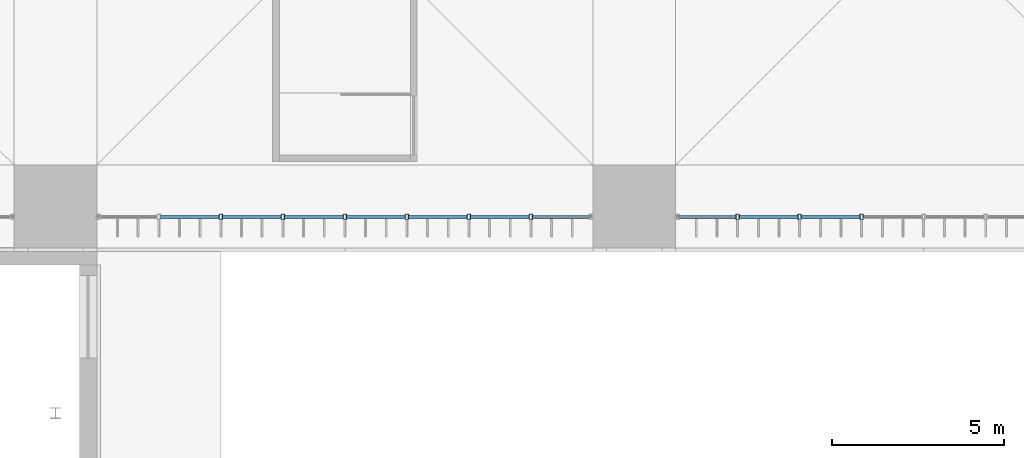
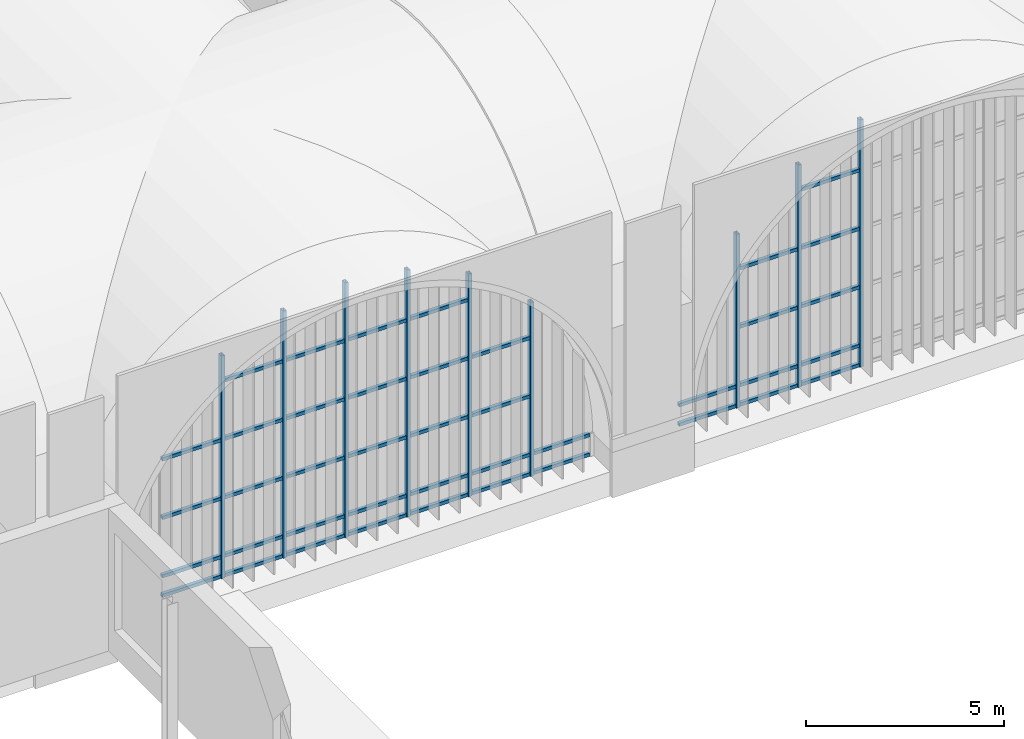
# One storey, part 35 of 169: 50 members, 2 elements without a shape of their own.
"""IFC4 building model written with IfcOpenShell, lengths in metres."""

from ifc_helpers import new_model, si_unit, direction, frame, origin, origin_2d, place, context, subcontext, project, spatial, hollow_rectangle, extrude, material, layer, layer_set, material_profile, profile_set, type_object, element, aggregate, save


model = new_model("IFC4")

# Units and contexts
model_context = context("Model", 3, precision=1e-05, world=origin(), true_north=direction((0.0, 1.0)))
body_context = subcontext(model_context, "Body", "Model", "MODEL_VIEW")
ifc_project = project(units=[si_unit("LENGTHUNIT", "METRE"), si_unit("AREAUNIT", "SQUARE_METRE"), si_unit("VOLUMEUNIT", "CUBIC_METRE"), si_unit("PLANEANGLEUNIT", "RADIAN"), si_unit("MASSUNIT", "GRAM", prefix="KILO")], contexts=[model_context])

# Site, building, storey
site_placement = place(None, origin())
site = spatial("IfcSite", under=ifc_project, at=site_placement, CompositionType="ELEMENT")
building_placement = place(site_placement, origin())
building = spatial("IfcBuilding", under=site, at=building_placement, Name="Verrick Yard Athletic Hall", CompositionType="ELEMENT")
storey_placement = place(building_placement, frame((0.0, 0.0, 4.39990234375)))
storey = spatial("IfcBuildingStorey", under=building, at=storey_placement, Name="L01", CompositionType="ELEMENT", Elevation=4.39990234375)

# Curtain wall, members
ifc_material_1 = material(Name="Aluminium and glass curtain wall", Category="aluminium")
ifc_layer = layer(ifc_material_1, 0.14990234375)
ifc_layer_set = layer_set([ifc_layer], Name="Arcade glazing arch")
curtain_wall_type = type_object("IfcCurtainWallType", Name="Arcade glazing arch", PredefinedType="NOTDEFINED", material=ifc_layer_set)
curtain_wall_1_placement = place(storey_placement, origin())
curtain_wall_1 = element("IfcCurtainWall", 1, at=curtain_wall_1_placement, inside=storey, type_object=curtain_wall_type, Name="Arcade glazing S5", PredefinedType="NOTDEFINED")
ifc_material_2 = material(Name="Structural steel HSS Class C 350W (CSA G40.20/G40.21)", Category="steel")
ifc_material_profile_1 = material_profile(ifc_material_2, hollow_rectangle(XDim=0.1015625, YDim=0.15234375, WallThickness=0.008056640625, at=origin_2d()), Name="HSS152x102x7.9")
ifc_profile_set_1 = profile_set([ifc_material_profile_1], Name="Structural steel HSS Class C 350W (CSA G40.20/G40.21)")
member_type_1 = type_object("IfcMemberType", Name="Curtain wall mullion HSS152x102x7.9", PredefinedType="MULLION", material=ifc_profile_set_1)
member_1_placement = place(storey_placement, frame((112.0, 18.89990234375, 0.0), z_axis=(0.0, 0.0, 1.0), x_axis=(1.0, 0.0, 0.0)))
member_1 = element("IfcMember", 2, at=member_1_placement, type_object=member_type_1, Name="Arcade glazing S5 mullion 3", PredefinedType="MULLION", context=body_context, shape_type="SweptSolid", body=[
    extrude(hollow_rectangle(XDim=0.1015625, YDim=0.15234375, WallThickness=0.008056640625, at=origin_2d()), origin(), (0.0, 0.0, 1.0), 6.8544921875),
])
member_2_placement = place(storey_placement, frame((113.800048828125, 18.89990234375, 0.0), z_axis=(0.0, 0.0, 1.0), x_axis=(1.0, 0.0, 0.0)))
member_2 = element("IfcMember", 3, at=member_2_placement, type_object=member_type_1, Name="Arcade glazing S5 mullion 4", PredefinedType="MULLION", context=body_context, shape_type="SweptSolid", body=[
    extrude(hollow_rectangle(XDim=0.1015625, YDim=0.15234375, WallThickness=0.008056640625, at=origin_2d()), origin(), (0.0, 0.0, 1.0), 7.607666015625),
])
member_3_placement = place(storey_placement, frame((115.60009765625, 18.89990234375, 0.0), z_axis=(0.0, 0.0, 1.0), x_axis=(1.0, 0.0, 0.0)))
member_3 = element("IfcMember", 4, at=member_3_placement, type_object=member_type_1, Name="Arcade glazing S5 mullion 5", PredefinedType="MULLION", context=body_context, shape_type="SweptSolid", body=[
    extrude(hollow_rectangle(XDim=0.1015625, YDim=0.15234375, WallThickness=0.008056640625, at=origin_2d()), origin(), (0.0, 0.0, 1.0), 7.8486328125),
])
member_4_placement = place(storey_placement, frame((117.39990234375, 18.89990234375, 0.0), z_axis=(0.0, 0.0, 1.0), x_axis=(1.0, 0.0, 0.0)))
member_4 = element("IfcMember", 5, at=member_4_placement, type_object=member_type_1, Name="Arcade glazing S5 mullion 6", PredefinedType="MULLION", context=body_context, shape_type="SweptSolid", body=[
    extrude(hollow_rectangle(XDim=0.1015625, YDim=0.15234375, WallThickness=0.008056640625, at=origin_2d()), origin(), (0.0, 0.0, 1.0), 7.607666015625),
])
member_5_placement = place(storey_placement, frame((119.199951171875, 18.89990234375, 0.0), z_axis=(0.0, 0.0, 1.0), x_axis=(1.0, 0.0, 0.0)))
member_5 = element("IfcMember", 6, at=member_5_placement, type_object=member_type_1, Name="Arcade glazing S5 mullion 7", PredefinedType="MULLION", context=body_context, shape_type="SweptSolid", body=[
    extrude(hollow_rectangle(XDim=0.1015625, YDim=0.15234375, WallThickness=0.008056640625, at=origin_2d()), origin(), (0.0, 0.0, 1.0), 6.8544921875),
])
member_6_placement = place(storey_placement, frame((121.0, 18.89990234375, 0.0), z_axis=(0.0, 0.0, 1.0), x_axis=(1.0, 0.0, 0.0)))
member_6 = element("IfcMember", 7, at=member_6_placement, type_object=member_type_1, Name="Arcade glazing S5 mullion 8", PredefinedType="MULLION", context=body_context, shape_type="SweptSolid", body=[
    extrude(hollow_rectangle(XDim=0.1015625, YDim=0.15234375, WallThickness=0.008056640625, at=origin_2d()), origin(), (0.0, 0.0, 1.0), 5.351806640625),
])

curtain_wall_2_placement = place(storey_placement, origin())
curtain_wall_2 = element("IfcCurtainWall", 8, at=curtain_wall_2_placement, inside=storey, type_object=curtain_wall_type, Name="Arcade glazing S6", PredefinedType="NOTDEFINED")
member_7_placement = place(storey_placement, frame((127.0, 18.89990234375, 0.0), z_axis=(0.0, 0.0, 1.0), x_axis=(1.0, 0.0, 0.0)))
member_7 = element("IfcMember", 9, at=member_7_placement, type_object=member_type_1, Name="Arcade glazing S6 mullion 2", PredefinedType="MULLION", context=body_context, shape_type="SweptSolid", body=[
    extrude(hollow_rectangle(XDim=0.1015625, YDim=0.15234375, WallThickness=0.008056640625, at=origin_2d()), origin(), (0.0, 0.0, 1.0), 5.351806640625),
])
member_8_placement = place(storey_placement, frame((128.800048828125, 18.89990234375, 0.0), z_axis=(0.0, 0.0, 1.0), x_axis=(1.0, 0.0, 0.0)))
member_8 = element("IfcMember", 10, at=member_8_placement, type_object=member_type_1, Name="Arcade glazing S6 mullion 3", PredefinedType="MULLION", context=body_context, shape_type="SweptSolid", body=[
    extrude(hollow_rectangle(XDim=0.1015625, YDim=0.15234375, WallThickness=0.008056640625, at=origin_2d()), origin(), (0.0, 0.0, 1.0), 6.8544921875),
])
member_9_placement = place(storey_placement, frame((130.60009765625, 18.89990234375, 0.0), z_axis=(0.0, 0.0, 1.0), x_axis=(1.0, 0.0, 0.0)))
member_9 = element("IfcMember", 11, at=member_9_placement, type_object=member_type_1, Name="Arcade glazing S6 mullion 4", PredefinedType="MULLION", context=body_context, shape_type="SweptSolid", body=[
    extrude(hollow_rectangle(XDim=0.1015625, YDim=0.15234375, WallThickness=0.008056640625, at=origin_2d()), origin(), (0.0, 0.0, 1.0), 7.607666015625),
])

# Member
ifc_material_profile_2 = material_profile(ifc_material_2, hollow_rectangle(XDim=0.1015625, YDim=0.1015625, WallThickness=0.00634765625, at=origin_2d()), Name="HSS102x102x6.4")
ifc_profile_set_2 = profile_set([ifc_material_profile_2], Name="Structural steel HSS Class C 350W (CSA G40.20/G40.21)")
member_type_2 = type_object("IfcMemberType", Name="Curtain wall transom HSS102x102x6.4", PredefinedType="USERDEFINED", material=ifc_profile_set_2)
member_10_placement = place(storey_placement, frame((110.250732421875, 18.89990234375, 0.05078125), z_axis=(1.0, 0.0, 0.0), x_axis=(0.0, 1.0, 0.0)))
member_10 = element("IfcMember", 12, at=member_10_placement, type_object=member_type_2, Name="Arcade glazing S5 transom 3", ObjectType="TRANSOM", PredefinedType="USERDEFINED", context=body_context, shape_type="SweptSolid", body=[
    extrude(hollow_rectangle(XDim=0.1015625, YDim=0.1015625, WallThickness=0.00634765625, at=origin_2d()), origin(), (0.0, 0.0, 1.0), 1.698486328125),
])

member_11_placement = place(storey_placement, frame((110.250732421875, 18.89990234375, 0.650146484375), z_axis=(1.0, 0.0, 0.0), x_axis=(0.0, 1.0, 0.0)))
member_11 = element("IfcMember", 13, at=member_11_placement, type_object=member_type_2, Name="Arcade glazing S5 transom 4", ObjectType="TRANSOM", PredefinedType="USERDEFINED", context=body_context, shape_type="SweptSolid", body=[
    extrude(hollow_rectangle(XDim=0.1015625, YDim=0.1015625, WallThickness=0.00634765625, at=origin_2d()), origin(), (0.0, 0.0, 1.0), 1.698486328125),
])

member_12_placement = place(storey_placement, frame((110.250732421875, 18.89990234375, 2.4501953125), z_axis=(1.0, 0.0, 0.0), x_axis=(0.0, 1.0, 0.0)))
member_12 = element("IfcMember", 14, at=member_12_placement, type_object=member_type_2, Name="Arcade glazing S5 transom 5", ObjectType="TRANSOM", PredefinedType="USERDEFINED", context=body_context, shape_type="SweptSolid", body=[
    extrude(hollow_rectangle(XDim=0.1015625, YDim=0.1015625, WallThickness=0.00634765625, at=origin_2d()), origin(), (0.0, 0.0, 1.0), 1.698486328125),
])

member_13_placement = place(storey_placement, frame((110.250732421875, 18.89990234375, 4.25), z_axis=(1.0, 0.0, 0.0), x_axis=(0.0, 1.0, 0.0)))
member_13 = element("IfcMember", 15, at=member_13_placement, type_object=member_type_2, Name="Arcade glazing S5 transom 6", ObjectType="TRANSOM", PredefinedType="USERDEFINED", context=body_context, shape_type="SweptSolid", body=[
    extrude(hollow_rectangle(XDim=0.1015625, YDim=0.1015625, WallThickness=0.00634765625, at=origin_2d()), origin(), (0.0, 0.0, 1.0), 1.698486328125),
])

member_14_placement = place(storey_placement, frame((112.05078125, 18.89990234375, 0.05078125), z_axis=(1.0, 0.0, 0.0), x_axis=(0.0, 1.0, 0.0)))
member_14 = element("IfcMember", 16, at=member_14_placement, type_object=member_type_2, Name="Arcade glazing S5 transom 7", ObjectType="TRANSOM", PredefinedType="USERDEFINED", context=body_context, shape_type="SweptSolid", body=[
    extrude(hollow_rectangle(XDim=0.1015625, YDim=0.1015625, WallThickness=0.00634765625, at=origin_2d()), origin(), (0.0, 0.0, 1.0), 1.698486328125),
])

member_15_placement = place(storey_placement, frame((112.05078125, 18.89990234375, 0.650146484375), z_axis=(1.0, 0.0, 0.0), x_axis=(0.0, 1.0, 0.0)))
member_15 = element("IfcMember", 17, at=member_15_placement, type_object=member_type_2, Name="Arcade glazing S5 transom 8", ObjectType="TRANSOM", PredefinedType="USERDEFINED", context=body_context, shape_type="SweptSolid", body=[
    extrude(hollow_rectangle(XDim=0.1015625, YDim=0.1015625, WallThickness=0.00634765625, at=origin_2d()), origin(), (0.0, 0.0, 1.0), 1.698486328125),
])

member_16_placement = place(storey_placement, frame((112.05078125, 18.89990234375, 2.4501953125), z_axis=(1.0, 0.0, 0.0), x_axis=(0.0, 1.0, 0.0)))
member_16 = element("IfcMember", 18, at=member_16_placement, type_object=member_type_2, Name="Arcade glazing S5 transom 9", ObjectType="TRANSOM", PredefinedType="USERDEFINED", context=body_context, shape_type="SweptSolid", body=[
    extrude(hollow_rectangle(XDim=0.1015625, YDim=0.1015625, WallThickness=0.00634765625, at=origin_2d()), origin(), (0.0, 0.0, 1.0), 1.698486328125),
])

member_17_placement = place(storey_placement, frame((112.05078125, 18.89990234375, 4.25), z_axis=(1.0, 0.0, 0.0), x_axis=(0.0, 1.0, 0.0)))
member_17 = element("IfcMember", 19, at=member_17_placement, type_object=member_type_2, Name="Arcade glazing S5 transom 10", ObjectType="TRANSOM", PredefinedType="USERDEFINED", context=body_context, shape_type="SweptSolid", body=[
    extrude(hollow_rectangle(XDim=0.1015625, YDim=0.1015625, WallThickness=0.00634765625, at=origin_2d()), origin(), (0.0, 0.0, 1.0), 1.698486328125),
])

member_18_placement = place(storey_placement, frame((112.05078125, 18.89990234375, 6.050048828125), z_axis=(1.0, 0.0, 0.0), x_axis=(0.0, 1.0, 0.0)))
member_18 = element("IfcMember", 20, at=member_18_placement, type_object=member_type_2, Name="Arcade glazing S5 transom 11", ObjectType="TRANSOM", PredefinedType="USERDEFINED", context=body_context, shape_type="SweptSolid", body=[
    extrude(hollow_rectangle(XDim=0.1015625, YDim=0.1015625, WallThickness=0.00634765625, at=origin_2d()), origin(), (0.0, 0.0, 1.0), 1.698486328125),
])

member_19_placement = place(storey_placement, frame((113.850830078125, 18.89990234375, 0.05078125), z_axis=(1.0, 0.0, 0.0), x_axis=(0.0, 1.0, 0.0)))
member_19 = element("IfcMember", 21, at=member_19_placement, type_object=member_type_2, Name="Arcade glazing S5 transom 12", ObjectType="TRANSOM", PredefinedType="USERDEFINED", context=body_context, shape_type="SweptSolid", body=[
    extrude(hollow_rectangle(XDim=0.1015625, YDim=0.1015625, WallThickness=0.00634765625, at=origin_2d()), origin(), (0.0, 0.0, 1.0), 1.698486328125),
])

member_20_placement = place(storey_placement, frame((113.850830078125, 18.89990234375, 0.650146484375), z_axis=(1.0, 0.0, 0.0), x_axis=(0.0, 1.0, 0.0)))
member_20 = element("IfcMember", 22, at=member_20_placement, type_object=member_type_2, Name="Arcade glazing S5 transom 13", ObjectType="TRANSOM", PredefinedType="USERDEFINED", context=body_context, shape_type="SweptSolid", body=[
    extrude(hollow_rectangle(XDim=0.1015625, YDim=0.1015625, WallThickness=0.00634765625, at=origin_2d()), origin(), (0.0, 0.0, 1.0), 1.698486328125),
])

member_21_placement = place(storey_placement, frame((113.850830078125, 18.89990234375, 2.4501953125), z_axis=(1.0, 0.0, 0.0), x_axis=(0.0, 1.0, 0.0)))
member_21 = element("IfcMember", 23, at=member_21_placement, type_object=member_type_2, Name="Arcade glazing S5 transom 14", ObjectType="TRANSOM", PredefinedType="USERDEFINED", context=body_context, shape_type="SweptSolid", body=[
    extrude(hollow_rectangle(XDim=0.1015625, YDim=0.1015625, WallThickness=0.00634765625, at=origin_2d()), origin(), (0.0, 0.0, 1.0), 1.698486328125),
])

member_22_placement = place(storey_placement, frame((113.850830078125, 18.89990234375, 4.25), z_axis=(1.0, 0.0, 0.0), x_axis=(0.0, 1.0, 0.0)))
member_22 = element("IfcMember", 24, at=member_22_placement, type_object=member_type_2, Name="Arcade glazing S5 transom 15", ObjectType="TRANSOM", PredefinedType="USERDEFINED", context=body_context, shape_type="SweptSolid", body=[
    extrude(hollow_rectangle(XDim=0.1015625, YDim=0.1015625, WallThickness=0.00634765625, at=origin_2d()), origin(), (0.0, 0.0, 1.0), 1.698486328125),
])

member_23_placement = place(storey_placement, frame((113.850830078125, 18.89990234375, 6.050048828125), z_axis=(1.0, 0.0, 0.0), x_axis=(0.0, 1.0, 0.0)))
member_23 = element("IfcMember", 25, at=member_23_placement, type_object=member_type_2, Name="Arcade glazing S5 transom 16", ObjectType="TRANSOM", PredefinedType="USERDEFINED", context=body_context, shape_type="SweptSolid", body=[
    extrude(hollow_rectangle(XDim=0.1015625, YDim=0.1015625, WallThickness=0.00634765625, at=origin_2d()), origin(), (0.0, 0.0, 1.0), 1.698486328125),
])

member_24_placement = place(storey_placement, frame((115.65087890625, 18.89990234375, 0.05078125), z_axis=(1.0, 0.0, 0.0), x_axis=(0.0, 1.0, 0.0)))
member_24 = element("IfcMember", 26, at=member_24_placement, type_object=member_type_2, Name="Arcade glazing S5 transom 17", ObjectType="TRANSOM", PredefinedType="USERDEFINED", context=body_context, shape_type="SweptSolid", body=[
    extrude(hollow_rectangle(XDim=0.1015625, YDim=0.1015625, WallThickness=0.00634765625, at=origin_2d()), origin(), (0.0, 0.0, 1.0), 1.6982421875),
])

member_25_placement = place(storey_placement, frame((115.65087890625, 18.89990234375, 0.650146484375), z_axis=(1.0, 0.0, 0.0), x_axis=(0.0, 1.0, 0.0)))
member_25 = element("IfcMember", 27, at=member_25_placement, type_object=member_type_2, Name="Arcade glazing S5 transom 18", ObjectType="TRANSOM", PredefinedType="USERDEFINED", context=body_context, shape_type="SweptSolid", body=[
    extrude(hollow_rectangle(XDim=0.1015625, YDim=0.1015625, WallThickness=0.00634765625, at=origin_2d()), origin(), (0.0, 0.0, 1.0), 1.6982421875),
])

member_26_placement = place(storey_placement, frame((115.65087890625, 18.89990234375, 2.4501953125), z_axis=(1.0, 0.0, 0.0), x_axis=(0.0, 1.0, 0.0)))
member_26 = element("IfcMember", 28, at=member_26_placement, type_object=member_type_2, Name="Arcade glazing S5 transom 19", ObjectType="TRANSOM", PredefinedType="USERDEFINED", context=body_context, shape_type="SweptSolid", body=[
    extrude(hollow_rectangle(XDim=0.1015625, YDim=0.1015625, WallThickness=0.00634765625, at=origin_2d()), origin(), (0.0, 0.0, 1.0), 1.6982421875),
])

member_27_placement = place(storey_placement, frame((115.65087890625, 18.89990234375, 4.25), z_axis=(1.0, 0.0, 0.0), x_axis=(0.0, 1.0, 0.0)))
member_27 = element("IfcMember", 29, at=member_27_placement, type_object=member_type_2, Name="Arcade glazing S5 transom 20", ObjectType="TRANSOM", PredefinedType="USERDEFINED", context=body_context, shape_type="SweptSolid", body=[
    extrude(hollow_rectangle(XDim=0.1015625, YDim=0.1015625, WallThickness=0.00634765625, at=origin_2d()), origin(), (0.0, 0.0, 1.0), 1.6982421875),
])

member_28_placement = place(storey_placement, frame((115.65087890625, 18.89990234375, 6.050048828125), z_axis=(1.0, 0.0, 0.0), x_axis=(0.0, 1.0, 0.0)))
member_28 = element("IfcMember", 30, at=member_28_placement, type_object=member_type_2, Name="Arcade glazing S5 transom 21", ObjectType="TRANSOM", PredefinedType="USERDEFINED", context=body_context, shape_type="SweptSolid", body=[
    extrude(hollow_rectangle(XDim=0.1015625, YDim=0.1015625, WallThickness=0.00634765625, at=origin_2d()), origin(), (0.0, 0.0, 1.0), 1.6982421875),
])

member_29_placement = place(storey_placement, frame((117.45068359375, 18.89990234375, 0.05078125), z_axis=(1.0, 0.0, 0.0), x_axis=(0.0, 1.0, 0.0)))
member_29 = element("IfcMember", 31, at=member_29_placement, type_object=member_type_2, Name="Arcade glazing S5 transom 22", ObjectType="TRANSOM", PredefinedType="USERDEFINED", context=body_context, shape_type="SweptSolid", body=[
    extrude(hollow_rectangle(XDim=0.1015625, YDim=0.1015625, WallThickness=0.00634765625, at=origin_2d()), origin(), (0.0, 0.0, 1.0), 1.698486328125),
])

member_30_placement = place(storey_placement, frame((117.45068359375, 18.89990234375, 0.650146484375), z_axis=(1.0, 0.0, 0.0), x_axis=(0.0, 1.0, 0.0)))
member_30 = element("IfcMember", 32, at=member_30_placement, type_object=member_type_2, Name="Arcade glazing S5 transom 23", ObjectType="TRANSOM", PredefinedType="USERDEFINED", context=body_context, shape_type="SweptSolid", body=[
    extrude(hollow_rectangle(XDim=0.1015625, YDim=0.1015625, WallThickness=0.00634765625, at=origin_2d()), origin(), (0.0, 0.0, 1.0), 1.698486328125),
])

member_31_placement = place(storey_placement, frame((117.45068359375, 18.89990234375, 2.4501953125), z_axis=(1.0, 0.0, 0.0), x_axis=(0.0, 1.0, 0.0)))
member_31 = element("IfcMember", 33, at=member_31_placement, type_object=member_type_2, Name="Arcade glazing S5 transom 24", ObjectType="TRANSOM", PredefinedType="USERDEFINED", context=body_context, shape_type="SweptSolid", body=[
    extrude(hollow_rectangle(XDim=0.1015625, YDim=0.1015625, WallThickness=0.00634765625, at=origin_2d()), origin(), (0.0, 0.0, 1.0), 1.698486328125),
])

member_32_placement = place(storey_placement, frame((117.45068359375, 18.89990234375, 4.25), z_axis=(1.0, 0.0, 0.0), x_axis=(0.0, 1.0, 0.0)))
member_32 = element("IfcMember", 34, at=member_32_placement, type_object=member_type_2, Name="Arcade glazing S5 transom 25", ObjectType="TRANSOM", PredefinedType="USERDEFINED", context=body_context, shape_type="SweptSolid", body=[
    extrude(hollow_rectangle(XDim=0.1015625, YDim=0.1015625, WallThickness=0.00634765625, at=origin_2d()), origin(), (0.0, 0.0, 1.0), 1.698486328125),
])

member_33_placement = place(storey_placement, frame((117.45068359375, 18.89990234375, 6.050048828125), z_axis=(1.0, 0.0, 0.0), x_axis=(0.0, 1.0, 0.0)))
member_33 = element("IfcMember", 35, at=member_33_placement, type_object=member_type_2, Name="Arcade glazing S5 transom 26", ObjectType="TRANSOM", PredefinedType="USERDEFINED", context=body_context, shape_type="SweptSolid", body=[
    extrude(hollow_rectangle(XDim=0.1015625, YDim=0.1015625, WallThickness=0.00634765625, at=origin_2d()), origin(), (0.0, 0.0, 1.0), 1.698486328125),
])

member_34_placement = place(storey_placement, frame((119.250732421875, 18.89990234375, 0.05078125), z_axis=(1.0, 0.0, 0.0), x_axis=(0.0, 1.0, 0.0)))
member_34 = element("IfcMember", 36, at=member_34_placement, type_object=member_type_2, Name="Arcade glazing S5 transom 27", ObjectType="TRANSOM", PredefinedType="USERDEFINED", context=body_context, shape_type="SweptSolid", body=[
    extrude(hollow_rectangle(XDim=0.1015625, YDim=0.1015625, WallThickness=0.00634765625, at=origin_2d()), origin(), (0.0, 0.0, 1.0), 1.698486328125),
])

member_35_placement = place(storey_placement, frame((119.250732421875, 18.89990234375, 0.650146484375), z_axis=(1.0, 0.0, 0.0), x_axis=(0.0, 1.0, 0.0)))
member_35 = element("IfcMember", 37, at=member_35_placement, type_object=member_type_2, Name="Arcade glazing S5 transom 28", ObjectType="TRANSOM", PredefinedType="USERDEFINED", context=body_context, shape_type="SweptSolid", body=[
    extrude(hollow_rectangle(XDim=0.1015625, YDim=0.1015625, WallThickness=0.00634765625, at=origin_2d()), origin(), (0.0, 0.0, 1.0), 1.698486328125),
])

member_36_placement = place(storey_placement, frame((119.250732421875, 18.89990234375, 2.4501953125), z_axis=(1.0, 0.0, 0.0), x_axis=(0.0, 1.0, 0.0)))
member_36 = element("IfcMember", 38, at=member_36_placement, type_object=member_type_2, Name="Arcade glazing S5 transom 29", ObjectType="TRANSOM", PredefinedType="USERDEFINED", context=body_context, shape_type="SweptSolid", body=[
    extrude(hollow_rectangle(XDim=0.1015625, YDim=0.1015625, WallThickness=0.00634765625, at=origin_2d()), origin(), (0.0, 0.0, 1.0), 1.698486328125),
])

member_37_placement = place(storey_placement, frame((119.250732421875, 18.89990234375, 4.25), z_axis=(1.0, 0.0, 0.0), x_axis=(0.0, 1.0, 0.0)))
member_37 = element("IfcMember", 39, at=member_37_placement, type_object=member_type_2, Name="Arcade glazing S5 transom 30", ObjectType="TRANSOM", PredefinedType="USERDEFINED", context=body_context, shape_type="SweptSolid", body=[
    extrude(hollow_rectangle(XDim=0.1015625, YDim=0.1015625, WallThickness=0.00634765625, at=origin_2d()), origin(), (0.0, 0.0, 1.0), 1.698486328125),
])

member_38_placement = place(storey_placement, frame((121.05078125, 18.89990234375, 0.05078125), z_axis=(1.0, 0.0, 0.0), x_axis=(0.0, 1.0, 0.0)))
member_38 = element("IfcMember", 40, at=member_38_placement, type_object=member_type_2, Name="Arcade glazing S5 transom 31", ObjectType="TRANSOM", PredefinedType="USERDEFINED", context=body_context, shape_type="SweptSolid", body=[
    extrude(hollow_rectangle(XDim=0.1015625, YDim=0.1015625, WallThickness=0.00634765625, at=origin_2d()), origin(), (0.0, 0.0, 1.0), 1.647216796875),
])

member_39_placement = place(storey_placement, frame((121.05078125, 18.89990234375, 0.650146484375), z_axis=(1.0, 0.0, 0.0), x_axis=(0.0, 1.0, 0.0)))
member_39 = element("IfcMember", 41, at=member_39_placement, type_object=member_type_2, Name="Arcade glazing S5 transom 32", ObjectType="TRANSOM", PredefinedType="USERDEFINED", context=body_context, shape_type="SweptSolid", body=[
    extrude(hollow_rectangle(XDim=0.1015625, YDim=0.1015625, WallThickness=0.00634765625, at=origin_2d()), origin(), (0.0, 0.0, 1.0), 1.647216796875),
])

aggregate(curtain_wall_1, [member_1, member_2, member_3, member_4, member_5, member_6, member_10, member_11, member_12, member_13, member_14, member_15, member_16, member_17, member_18, member_19, member_20, member_21, member_22, member_23, member_24, member_25, member_26, member_27, member_28, member_29, member_30, member_31, member_32, member_33, member_34, member_35, member_36, member_37, member_38, member_39])

member_40_placement = place(storey_placement, frame((125.302001953125, 18.89990234375, 0.05078125), z_axis=(1.0, 0.0, 0.0), x_axis=(0.0, 1.0, 0.0)))
member_40 = element("IfcMember", 42, at=member_40_placement, type_object=member_type_2, Name="Arcade glazing S6 transom 1", ObjectType="TRANSOM", PredefinedType="USERDEFINED", context=body_context, shape_type="SweptSolid", body=[
    extrude(hollow_rectangle(XDim=0.1015625, YDim=0.1015625, WallThickness=0.00634765625, at=origin_2d()), origin(), (0.0, 0.0, 1.0), 1.647216796875),
])

member_41_placement = place(storey_placement, frame((125.302001953125, 18.89990234375, 0.650146484375), z_axis=(1.0, 0.0, 0.0), x_axis=(0.0, 1.0, 0.0)))
member_41 = element("IfcMember", 43, at=member_41_placement, type_object=member_type_2, Name="Arcade glazing S6 transom 2", ObjectType="TRANSOM", PredefinedType="USERDEFINED", context=body_context, shape_type="SweptSolid", body=[
    extrude(hollow_rectangle(XDim=0.1015625, YDim=0.1015625, WallThickness=0.00634765625, at=origin_2d()), origin(), (0.0, 0.0, 1.0), 1.647216796875),
])

member_42_placement = place(storey_placement, frame((127.05078125, 18.89990234375, 0.05078125), z_axis=(1.0, 0.0, 0.0), x_axis=(0.0, 1.0, 0.0)))
member_42 = element("IfcMember", 44, at=member_42_placement, type_object=member_type_2, Name="Arcade glazing S6 transom 3", ObjectType="TRANSOM", PredefinedType="USERDEFINED", context=body_context, shape_type="SweptSolid", body=[
    extrude(hollow_rectangle(XDim=0.1015625, YDim=0.1015625, WallThickness=0.00634765625, at=origin_2d()), origin(), (0.0, 0.0, 1.0), 1.698486328125),
])

member_43_placement = place(storey_placement, frame((127.05078125, 18.89990234375, 0.650146484375), z_axis=(1.0, 0.0, 0.0), x_axis=(0.0, 1.0, 0.0)))
member_43 = element("IfcMember", 45, at=member_43_placement, type_object=member_type_2, Name="Arcade glazing S6 transom 4", ObjectType="TRANSOM", PredefinedType="USERDEFINED", context=body_context, shape_type="SweptSolid", body=[
    extrude(hollow_rectangle(XDim=0.1015625, YDim=0.1015625, WallThickness=0.00634765625, at=origin_2d()), origin(), (0.0, 0.0, 1.0), 1.698486328125),
])

member_44_placement = place(storey_placement, frame((127.05078125, 18.89990234375, 2.4501953125), z_axis=(1.0, 0.0, 0.0), x_axis=(0.0, 1.0, 0.0)))
member_44 = element("IfcMember", 46, at=member_44_placement, type_object=member_type_2, Name="Arcade glazing S6 transom 5", ObjectType="TRANSOM", PredefinedType="USERDEFINED", context=body_context, shape_type="SweptSolid", body=[
    extrude(hollow_rectangle(XDim=0.1015625, YDim=0.1015625, WallThickness=0.00634765625, at=origin_2d()), origin(), (0.0, 0.0, 1.0), 1.698486328125),
])

member_45_placement = place(storey_placement, frame((127.05078125, 18.89990234375, 4.25), z_axis=(1.0, 0.0, 0.0), x_axis=(0.0, 1.0, 0.0)))
member_45 = element("IfcMember", 47, at=member_45_placement, type_object=member_type_2, Name="Arcade glazing S6 transom 6", ObjectType="TRANSOM", PredefinedType="USERDEFINED", context=body_context, shape_type="SweptSolid", body=[
    extrude(hollow_rectangle(XDim=0.1015625, YDim=0.1015625, WallThickness=0.00634765625, at=origin_2d()), origin(), (0.0, 0.0, 1.0), 1.698486328125),
])

member_46_placement = place(storey_placement, frame((128.850830078125, 18.89990234375, 0.05078125), z_axis=(1.0, 0.0, 0.0), x_axis=(0.0, 1.0, 0.0)))
member_46 = element("IfcMember", 48, at=member_46_placement, type_object=member_type_2, Name="Arcade glazing S6 transom 7", ObjectType="TRANSOM", PredefinedType="USERDEFINED", context=body_context, shape_type="SweptSolid", body=[
    extrude(hollow_rectangle(XDim=0.1015625, YDim=0.1015625, WallThickness=0.00634765625, at=origin_2d()), origin(), (0.0, 0.0, 1.0), 1.698486328125),
])

member_47_placement = place(storey_placement, frame((128.850830078125, 18.89990234375, 0.650146484375), z_axis=(1.0, 0.0, 0.0), x_axis=(0.0, 1.0, 0.0)))
member_47 = element("IfcMember", 49, at=member_47_placement, type_object=member_type_2, Name="Arcade glazing S6 transom 8", ObjectType="TRANSOM", PredefinedType="USERDEFINED", context=body_context, shape_type="SweptSolid", body=[
    extrude(hollow_rectangle(XDim=0.1015625, YDim=0.1015625, WallThickness=0.00634765625, at=origin_2d()), origin(), (0.0, 0.0, 1.0), 1.698486328125),
])

member_48_placement = place(storey_placement, frame((128.850830078125, 18.89990234375, 2.4501953125), z_axis=(1.0, 0.0, 0.0), x_axis=(0.0, 1.0, 0.0)))
member_48 = element("IfcMember", 50, at=member_48_placement, type_object=member_type_2, Name="Arcade glazing S6 transom 9", ObjectType="TRANSOM", PredefinedType="USERDEFINED", context=body_context, shape_type="SweptSolid", body=[
    extrude(hollow_rectangle(XDim=0.1015625, YDim=0.1015625, WallThickness=0.00634765625, at=origin_2d()), origin(), (0.0, 0.0, 1.0), 1.698486328125),
])

member_49_placement = place(storey_placement, frame((128.850830078125, 18.89990234375, 4.25), z_axis=(1.0, 0.0, 0.0), x_axis=(0.0, 1.0, 0.0)))
member_49 = element("IfcMember", 51, at=member_49_placement, type_object=member_type_2, Name="Arcade glazing S6 transom 10", ObjectType="TRANSOM", PredefinedType="USERDEFINED", context=body_context, shape_type="SweptSolid", body=[
    extrude(hollow_rectangle(XDim=0.1015625, YDim=0.1015625, WallThickness=0.00634765625, at=origin_2d()), origin(), (0.0, 0.0, 1.0), 1.698486328125),
])

member_50_placement = place(storey_placement, frame((128.850830078125, 18.89990234375, 6.050048828125), z_axis=(1.0, 0.0, 0.0), x_axis=(0.0, 1.0, 0.0)))
member_50 = element("IfcMember", 52, at=member_50_placement, type_object=member_type_2, Name="Arcade glazing S6 transom 11", ObjectType="TRANSOM", PredefinedType="USERDEFINED", context=body_context, shape_type="SweptSolid", body=[
    extrude(hollow_rectangle(XDim=0.1015625, YDim=0.1015625, WallThickness=0.00634765625, at=origin_2d()), origin(), (0.0, 0.0, 1.0), 1.698486328125),
])

aggregate(curtain_wall_2, [member_7, member_8, member_9, member_40, member_41, member_42, member_43, member_44, member_45, member_46, member_47, member_48, member_49, member_50])

save(model, "model.ifc")
